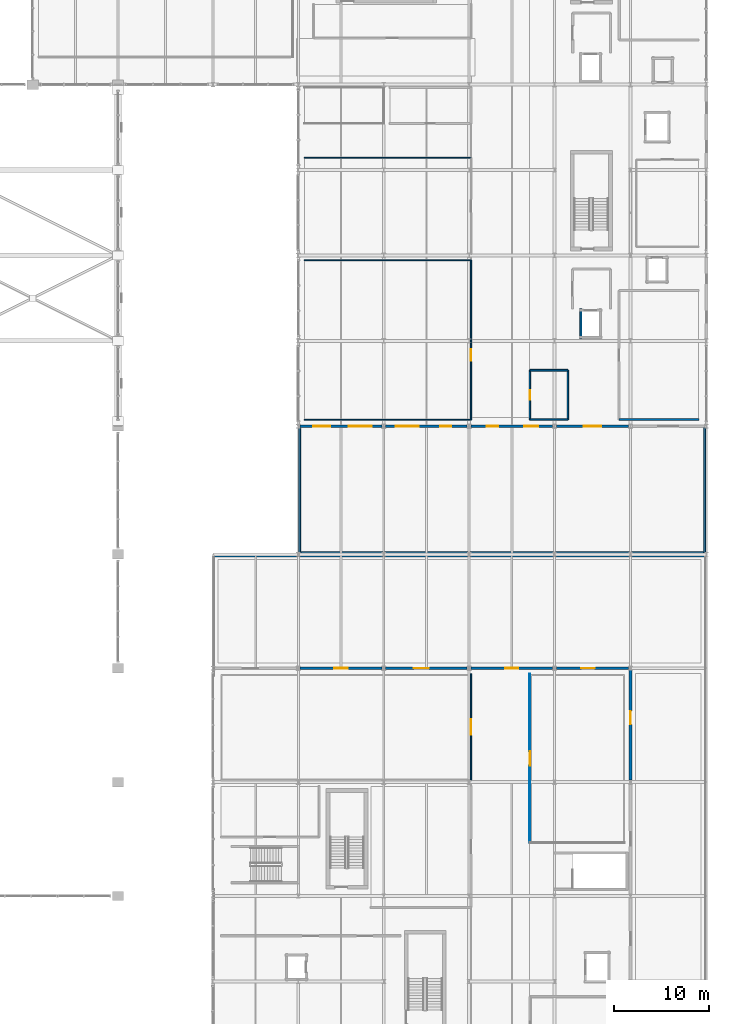
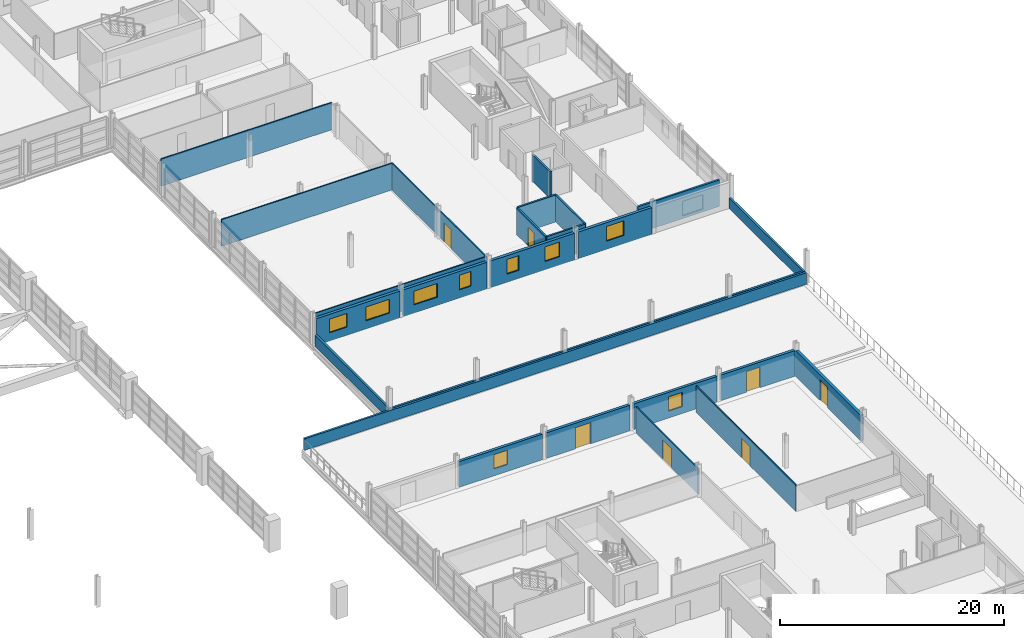
# One storey, part 100 of 116: 25 walls, 9 windows, 7 doors, 16 openings.
"""IFC4 building model written with IfcOpenShell, lengths in metres."""

import ifcopenshell
import ifcopenshell.guid

model = None  # the IFC model being written
_history = None  # IfcOwnerHistory: only IFC2X3 demands one
_inside = {}  # id of a spatial element -> (the spatial element, [elements in it])
_under = {}  # id of a project, library or spatial element -> (it, [spatial elements below it])
_declared = {}  # id of a project -> (the project, [libraries it declares])
_typed = {}  # id of a type object -> (the type object, [elements of that type])
_made_of = {}  # id of a material, layer set ... -> (it, [elements and type objects made of it])


def new_model(schema):
    """Start an empty IFC model of exactly this schema.

    Asked for "IFC4X3", IfcOpenShell would pick the latest addendum, in which some entities
    have other attributes; the version numbers below select the first issue.
    IFC2X3 requires an IfcOwnerHistory on every rooted entity: one is made here for all.
    """
    global model, _history
    if schema == "IFC4X3":
        model = ifcopenshell.file(schema_version=(4, 3, 0, 0))
    else:
        model = ifcopenshell.file(schema=schema)
    _inside.clear()
    _under.clear()
    _declared.clear()
    _typed.clear()
    _made_of.clear()
    _history = None
    if model.schema == "IFC2X3":
        org = make("IfcOrganization", Name="unknown")
        user = make(
            "IfcPersonAndOrganization",
            ThePerson=make("IfcPerson", FamilyName="unknown"),
            TheOrganization=org,
        )
        app = make(
            "IfcApplication",
            ApplicationDeveloper=org,
            Version="unknown",
            ApplicationFullName="unknown",
            ApplicationIdentifier="unknown",
        )
        _history = make(
            "IfcOwnerHistory",
            OwningUser=user,
            OwningApplication=app,
            ChangeAction="ADDED",
            CreationDate=0,
        )
    return model


def make(cls, **values):
    """One entity of the class cls with the attributes given. An attribute that is None is left unset."""
    return model.create_entity(
        cls, **{name: value for name, value in values.items() if value is not None}
    )


def rooted(cls, **values):
    """An entity with a GlobalId (a new one), such as an element, a storey or a relation."""
    return make(cls, GlobalId=ifcopenshell.guid.new(), OwnerHistory=_history, **values)


def si_unit(unit_type, name, prefix=None):
    """IfcSIUnit, for example si_unit("LENGTHUNIT", "METRE", prefix="MILLI")."""
    return make("IfcSIUnit", UnitType=unit_type, Prefix=prefix, Name=name)


def assignment(units):
    """IfcUnitAssignment: the units of a project."""
    return None if units is None else make("IfcUnitAssignment", Units=units)


def point(xyz):
    """IfcCartesianPoint."""
    return None if xyz is None else make("IfcCartesianPoint", Coordinates=xyz)


def direction(xyz):
    """IfcDirection."""
    return None if xyz is None else make("IfcDirection", DirectionRatios=xyz)


def frame(location, z_axis=None, x_axis=None):
    """IfcAxis2Placement3D, a coordinate frame: its origin and axes. An axis left out is left unset."""
    return make(
        "IfcAxis2Placement3D",
        Location=point(location),
        Axis=direction(z_axis),
        RefDirection=direction(x_axis),
    )


def frame_2d(location, x_axis=None):
    """IfcAxis2Placement2D, a coordinate frame in the plane: its origin and x axis."""
    return make(
        "IfcAxis2Placement2D", Location=point(location), RefDirection=direction(x_axis)
    )


def origin():
    """The frame at (0, 0, 0) with its axes left unset."""
    return frame((0.0, 0.0, 0.0))


def place(relative_to, where):
    """IfcLocalPlacement: puts the frame where relative to a parent placement (None: the world)."""
    return make(
        "IfcLocalPlacement", PlacementRelTo=relative_to, RelativePlacement=where
    )


def context(
    kind, dimensions, precision=None, world=None, true_north=None, identifier=None
):
    """IfcGeometricRepresentationContext, for example the 3D "Model" context."""
    return make(
        "IfcGeometricRepresentationContext",
        ContextIdentifier=identifier,
        ContextType=kind,
        CoordinateSpaceDimension=dimensions,
        Precision=precision,
        WorldCoordinateSystem=world,
        TrueNorth=true_north,
    )


def subcontext(parent, identifier, kind, view, scale=None):
    """IfcGeometricRepresentationSubContext, for example "Body" below "Model"."""
    return make(
        "IfcGeometricRepresentationSubContext",
        ContextIdentifier=identifier,
        ContextType=kind,
        ParentContext=parent,
        TargetScale=scale,
        TargetView=view,
    )


def project(units=None, contexts=None):
    """IfcProject with its units and contexts."""
    return rooted(
        "IfcProject",
        Name="project",
        RepresentationContexts=contexts,
        UnitsInContext=assignment(units),
    )


def spatial(cls, under=None, at=None, **own):
    """A site, building, storey or space (cls), placed at a placement, below another one or the project."""
    s = rooted(cls, ObjectPlacement=at, **own)
    if under is not None:
        _under.setdefault(under.id(), (under, []))[1].append(s)
    return s


def profile(cls, at=None, kind="AREA", **sizes):
    """A parametric profile (cls). Its sizes go by their IFC names, for example OverallWidth=200.0."""
    return make(cls, ProfileType=kind, Position=at, **sizes)


def rectangle(**sizes):
    """IfcRectangleProfileDef."""
    return profile("IfcRectangleProfileDef", **sizes)


def extrude(swept, where, along, depth):
    """IfcExtrudedAreaSolid: the profile swept, set in the frame where, extruded along a direction by depth."""
    return make(
        "IfcExtrudedAreaSolid",
        SweptArea=swept,
        Position=where,
        ExtrudedDirection=direction(along),
        Depth=depth,
    )


def shape(context_of_items, identifier, shape_type, items):
    """IfcShapeRepresentation: the items that make up one representation, for example the "Body"."""
    return make(
        "IfcShapeRepresentation",
        ContextOfItems=context_of_items,
        RepresentationIdentifier=identifier,
        RepresentationType=shape_type,
        Items=items,
    )


def material(Name=None, Category=None):
    """IfcMaterial."""
    return make("IfcMaterial", Name=Name, Category=Category)


def layer(
    of_material, thickness, ventilated=None, Name=None, Category=None, Priority=None
):
    """IfcMaterialLayer: one layer of a wall or slab, of a material (None: an air gap)."""
    return make(
        "IfcMaterialLayer",
        Material=of_material,
        LayerThickness=thickness,
        IsVentilated=ventilated,
        Name=Name,
        Category=Category,
        Priority=Priority,
    )


def layer_set(layers, Name=None):
    """IfcMaterialLayerSet."""
    return make("IfcMaterialLayerSet", MaterialLayers=layers, LayerSetName=Name)


def made_of(thing, what):
    """Note that an element or type object is made of a material, layer set ...; save() writes the relation."""
    if what is not None:
        _made_of.setdefault(what.id(), (what, []))[1].append(thing)
    return thing


def type_object(cls, material=None, **own):
    """A type object (cls), such as IfcWallType, which elements share."""
    return made_of(rooted(cls, **own), material)


def element(
    cls,
    number,
    at=None,
    inside=None,
    cuts=None,
    type_object=None,
    material=None,
    context=None,
    identifier="Body",
    shape_type=None,
    held_by="IfcProductDefinitionShape",
    body=None,
    shapes=None,
    **own,
):
    """One element of the class cls, such as IfcWall. Its Tag is "e" and its number.

    at: its placement. inside: the storey or other place that contains it. cuts: it is an
    opening in that element (IfcRelVoidsElement). A single representation is given by context,
    identifier, shape_type and body (its items); several are given by shapes. held_by: the class
    of the entity that holds the representations. save() writes the other relations.
    """
    e = rooted(cls, Tag="e%d" % number, ObjectPlacement=at, **own)
    if body is not None:
        shapes = [shape(context, identifier, shape_type, body)]
    if shapes is not None:
        e.Representation = make(held_by, Representations=shapes)
    if inside is not None:
        _inside.setdefault(inside.id(), (inside, []))[1].append(e)
    if cuts is not None:
        rooted(
            "IfcRelVoidsElement", RelatingBuildingElement=cuts, RelatedOpeningElement=e
        )
    if type_object is not None:
        _typed.setdefault(type_object.id(), (type_object, []))[1].append(e)
    return made_of(e, material)


def fill(opening, filler):
    """IfcRelFillsElement: the door or window that sits in an opening."""
    return rooted(
        "IfcRelFillsElement",
        RelatingOpeningElement=opening,
        RelatedBuildingElement=filler,
    )


def aggregate(whole, parts):
    """IfcRelAggregates: a whole, such as a stair, and the parts it consists of."""
    return rooted("IfcRelAggregates", RelatingObject=whole, RelatedObjects=parts)


def save(model, path):
    """Write the relations noted so far, then the file.

    IfcRelAggregates (storeys below a building ...), IfcRelContainedInSpatialStructure (elements
    in a storey), IfcRelDefinesByType, IfcRelAssociatesMaterial and IfcRelDeclares: one each for
    every whole, place, type object, material and project.
    """
    for whole, parts in _under.values():
        aggregate(whole, parts)
    for where, things in _inside.values():
        rooted(
            "IfcRelContainedInSpatialStructure",
            RelatedElements=things,
            RelatingStructure=where,
        )
    for kind, things in _typed.values():
        rooted("IfcRelDefinesByType", RelatedObjects=things, RelatingType=kind)
    for what, things in _made_of.values():
        rooted("IfcRelAssociatesMaterial", RelatedObjects=things, RelatingMaterial=what)
    for by, libraries in _declared.values():
        rooted("IfcRelDeclares", RelatingContext=by, RelatedDefinitions=libraries)
    model.write(path)


model = new_model("IFC4")

# Units and contexts
model_context = context("Model", 3, precision=1e-05, world=origin(), true_north=direction((0.0, 1.0)))
body_context = subcontext(model_context, "Body", "Model", "MODEL_VIEW")
ifc_project = project(units=[si_unit("LENGTHUNIT", "METRE"), si_unit("AREAUNIT", "SQUARE_METRE"), si_unit("VOLUMEUNIT", "CUBIC_METRE"), si_unit("PLANEANGLEUNIT", "RADIAN"), si_unit("MASSUNIT", "GRAM", prefix="KILO")], contexts=[model_context])

# Site, building, storey
site_placement = place(None, origin())
site = spatial("IfcSite", under=ifc_project, at=site_placement, CompositionType="ELEMENT")
building_placement = place(site_placement, origin())
building = spatial("IfcBuilding", under=site, at=building_placement, Name="Chuanluo Vaults Station", CompositionType="ELEMENT")
storey_placement = place(building_placement, frame((0.0, 0.0, 10.800048828125)))
storey = spatial("IfcBuildingStorey", under=building, at=storey_placement, Name="L02", CompositionType="ELEMENT", Elevation=10.800048828125)

# Wall, opening, window
ifc_material_1 = material(Name="Concrete C40", Category="concrete")
ifc_layer_1 = layer(ifc_material_1, 0.280029296875)
ifc_layer_set_1 = layer_set([ifc_layer_1], Name="Concrete C40")
wall_type_1 = type_object("IfcWallType", Name="WL-EXT-280", PredefinedType="SOLIDWALL", material=ifc_layer_set_1)
wall_1_placement = place(storey_placement, frame((145.199951171875, 42.0, 0.0), z_axis=(0.0, 0.0, 1.0), x_axis=(1.0, 0.0, 0.0)))
wall_1 = element("IfcWall", 1, at=wall_1_placement, inside=storey, type_object=wall_type_1, Name="L02 restaurant north terrace wall 2", PredefinedType="SOLIDWALL", context=body_context, shape_type="SweptSolid", body=[
    extrude(rectangle(XDim=8.60009765625, YDim=0.280029296875, at=frame_2d((4.300048828125, 0.0))), origin(), (0.0, 0.0, 1.0), 2.794921875),
])
opening_1_placement = place(wall_1_placement, frame((3.60009765625, 0.0, 0.75)))
opening_1 = element("IfcOpeningElement", 2, at=opening_1_placement, cuts=wall_1, Name="Opening W-41", PredefinedType="OPENING", context=body_context, shape_type="SweptSolid", body=[
    extrude(rectangle(XDim=1.39990234375, YDim=1.550048828125, at=frame_2d((0.699951171875, 0.77490234375))), frame((0.0, 0.15014, 0.0), z_axis=(0.0, -1.0, 0.0), x_axis=(1.0, 0.0, 0.0)), (0.0, 0.0, 1.0), 0.30003),
])
ifc_material_2 = material(Name="Double-silver Low-E laminated glass", Category="glass")
window_type_1 = type_object("IfcWindowType", Name="WN-OPS-1400x1550", PartitioningType="SINGLE_PANEL", PredefinedType="WINDOW", material=ifc_material_2)
window_1_placement = place(opening_1_placement, origin())
window_1 = element("IfcWindow", 3, at=window_1_placement, inside=storey, type_object=window_type_1, Name="W-114 L02 restaurant north terrace wall 2 window", OverallHeight=1.550048828125, OverallWidth=1.39990234375, PartitioningType="SINGLE_PANEL", PredefinedType="WINDOW", context=body_context, shape_type="SweptSolid", body=[
    extrude(rectangle(XDim=1.39990234375, YDim=1.550048828125, at=frame_2d((0.699951171875, 0.77490234375))), frame((0.0, 0.030029296875, 0.0), z_axis=(0.0, -1.0, 0.0), x_axis=(1.0, 0.0, 0.0)), (0.0, 0.0, 1.0), 0.06005859375),
])
fill(opening_1, window_1)

# Wall, opening, door
wall_2_placement = place(storey_placement, frame((154.199951171875, 42.0, 0.0), z_axis=(0.0, 0.0, 1.0), x_axis=(1.0, 0.0, 0.0)))
wall_2 = element("IfcWall", 4, at=wall_2_placement, inside=storey, type_object=wall_type_1, Name="L02 restaurant north terrace wall 3", PredefinedType="SOLIDWALL", context=body_context, shape_type="SweptSolid", body=[
    extrude(rectangle(XDim=8.60009765625, YDim=0.280029296875, at=frame_2d((4.300048828125, 0.0))), origin(), (0.0, 0.0, 1.0), 2.794921875),
])
opening_2_placement = place(wall_2_placement, frame((2.96875, 0.0, 0.0)))
opening_2 = element("IfcOpeningElement", 5, at=opening_2_placement, cuts=wall_2, Name="Opening D-T01", PredefinedType="OPENING", context=body_context, shape_type="SweptSolid", body=[
    extrude(rectangle(XDim=1.60009765625, YDim=2.300048828125, at=frame_2d((0.800048828125, 1.14990234375))), frame((0.0, 0.15014, 0.0), z_axis=(0.0, -1.0, 0.0), x_axis=(1.0, 0.0, 0.0)), (0.0, 0.0, 1.0), 0.30003),
])
ifc_material_3 = material(Name="Anodised aluminium 6063-T6", Category="aluminium")
door_type_1 = type_object("IfcDoorType", Name="DR-TER-1600x2300", OperationType="NOTDEFINED", PredefinedType="DOOR", material=ifc_material_3)
door_1_placement = place(opening_2_placement, origin())
door_1 = element("IfcDoor", 6, at=door_1_placement, inside=storey, type_object=door_type_1, Name="D-048 L02 restaurant north terrace wall 3 terrace door", OperationType="SINGLE_SWING_LEFT", OverallHeight=2.300048828125, OverallWidth=1.60009765625, PredefinedType="DOOR", context=body_context, shape_type="SweptSolid", body=[
    extrude(rectangle(XDim=1.60009765625, YDim=2.300048828125, at=frame_2d((0.800048828125, 1.14990234375))), frame((0.0, 0.02490234375, 0.0), z_axis=(0.0, -1.0, 0.0), x_axis=(1.0, 0.0, 0.0)), (0.0, 0.0, 1.0), 0.050048828125),
])
fill(opening_2, door_1)

# Wall, opening, window
wall_3_placement = place(storey_placement, frame((163.199951171875, 42.0, 0.0), z_axis=(0.0, 0.0, 1.0), x_axis=(1.0, 0.0, 0.0)))
wall_3 = element("IfcWall", 7, at=wall_3_placement, inside=storey, type_object=wall_type_1, Name="L02 bistro north terrace wall 1", PredefinedType="SOLIDWALL", context=body_context, shape_type="SweptSolid", body=[
    extrude(rectangle(XDim=8.60009765625, YDim=0.280029296875, at=frame_2d((4.300048828125, 0.0))), origin(), (0.0, 0.0, 1.0), 2.794921875),
])
opening_3_placement = place(wall_3_placement, frame((3.60009765625, 0.0, 0.75)))
opening_3 = element("IfcOpeningElement", 8, at=opening_3_placement, cuts=wall_3, Name="Opening W-41", PredefinedType="OPENING", context=body_context, shape_type="SweptSolid", body=[
    extrude(rectangle(XDim=1.39990234375, YDim=1.550048828125, at=frame_2d((0.699951171875, 0.77490234375))), frame((0.0, 0.15014, 0.0), z_axis=(0.0, -1.0, 0.0), x_axis=(1.0, 0.0, 0.0)), (0.0, 0.0, 1.0), 0.30003),
])
window_2_placement = place(opening_3_placement, origin())
window_2 = element("IfcWindow", 9, at=window_2_placement, inside=storey, type_object=window_type_1, Name="W-115 L02 bistro north terrace wall 1 window", OverallHeight=1.550048828125, OverallWidth=1.39990234375, PartitioningType="SINGLE_PANEL", PredefinedType="WINDOW", context=body_context, shape_type="SweptSolid", body=[
    extrude(rectangle(XDim=1.39990234375, YDim=1.550048828125, at=frame_2d((0.699951171875, 0.77490234375))), frame((0.0, 0.030029296875, 0.0), z_axis=(0.0, -1.0, 0.0), x_axis=(1.0, 0.0, 0.0)), (0.0, 0.0, 1.0), 0.06005859375),
])
fill(opening_3, window_2)

# Wall, opening, door
wall_4_placement = place(storey_placement, frame((172.199951171875, 42.0, 0.0), z_axis=(0.0, 0.0, 1.0), x_axis=(1.0, 0.0, 0.0)))
wall_4 = element("IfcWall", 10, at=wall_4_placement, inside=storey, type_object=wall_type_1, Name="L02 bistro north terrace wall 2", PredefinedType="SOLIDWALL", context=body_context, shape_type="SweptSolid", body=[
    extrude(rectangle(XDim=7.60009765625, YDim=0.280029296875, at=frame_2d((3.800048828125, 0.0))), origin(), (0.0, 0.0, 1.0), 2.794921875),
])
opening_4_placement = place(wall_4_placement, frame((2.6328125, 0.0, 0.0)))
opening_4 = element("IfcOpeningElement", 11, at=opening_4_placement, cuts=wall_4, Name="Opening D-T02", PredefinedType="OPENING", context=body_context, shape_type="SweptSolid", body=[
    extrude(rectangle(XDim=1.39990234375, YDim=2.25, at=frame_2d((0.699951171875, 1.125))), frame((0.0, 0.15014, 0.0), z_axis=(0.0, -1.0, 0.0), x_axis=(1.0, 0.0, 0.0)), (0.0, 0.0, 1.0), 0.30003),
])
ifc_material_4 = material(Name="Anodised aluminium 6063-T6", Category="aluminium")
door_type_2 = type_object("IfcDoorType", Name="DR-TER-1400x2250", OperationType="NOTDEFINED", PredefinedType="DOOR", material=ifc_material_4)
door_2_placement = place(opening_4_placement, origin())
door_2 = element("IfcDoor", 12, at=door_2_placement, inside=storey, type_object=door_type_2, Name="D-049 L02 bistro north terrace wall 2 terrace door", OperationType="SINGLE_SWING_RIGHT", OverallHeight=2.25, OverallWidth=1.39990234375, PredefinedType="DOOR", context=body_context, shape_type="SweptSolid", body=[
    extrude(rectangle(XDim=1.39990234375, YDim=2.25, at=frame_2d((0.699951171875, 1.125))), frame((0.0, 0.02490234375, 0.0), z_axis=(0.0, -1.0, 0.0), x_axis=(1.0, 0.0, 0.0)), (0.0, 0.0, 1.0), 0.050048828125),
])
fill(opening_4, door_2)

wall_5_placement = place(storey_placement, frame((180.0, 41.800048828125, 0.0), z_axis=(0.0, 0.0, 1.0), x_axis=(0.0, -1.0, 0.0)))
wall_5 = element("IfcWall", 13, at=wall_5_placement, inside=storey, type_object=wall_type_1, Name="L02 east garden terrace wall 1", PredefinedType="SOLIDWALL", context=body_context, shape_type="SweptSolid", body=[
    extrude(rectangle(XDim=11.60009765625, YDim=0.280029296875, at=frame_2d((5.800048828125, 0.0))), origin(), (0.0, 0.0, 1.0), 2.794921875),
])
opening_5_placement = place(wall_5_placement, frame((4.312744140625, 0.0, 0.0)))
opening_5 = element("IfcOpeningElement", 14, at=opening_5_placement, cuts=wall_5, Name="Opening D-T02", PredefinedType="OPENING", context=body_context, shape_type="SweptSolid", body=[
    extrude(rectangle(XDim=1.39990234375, YDim=2.25, at=frame_2d((0.699951171875, 1.125))), frame((0.0, 0.15014, 0.0), z_axis=(0.0, -1.0, 0.0), x_axis=(1.0, 0.0, 0.0)), (0.0, 0.0, 1.0), 0.30003),
])
door_3_placement = place(opening_5_placement, origin())
door_3 = element("IfcDoor", 15, at=door_3_placement, inside=storey, type_object=door_type_2, Name="D-050 L02 east garden terrace wall 1 terrace door", OperationType="SINGLE_SWING_LEFT", OverallHeight=2.25, OverallWidth=1.39990234375, PredefinedType="DOOR", context=body_context, shape_type="SweptSolid", body=[
    extrude(rectangle(XDim=1.39990234375, YDim=2.25, at=frame_2d((0.699951171875, 1.125))), frame((0.0, 0.02490234375, 0.0), z_axis=(0.0, -1.0, 0.0), x_axis=(1.0, 0.0, 0.0)), (0.0, 0.0, 1.0), 0.050048828125),
])
fill(opening_5, door_3)

# Wall, opening, window
ifc_material_5 = material(Name="Concrete C40", Category="concrete")
ifc_layer_2 = layer(ifc_material_5, 0.300048828125)
ifc_layer_set_2 = layer_set([ifc_layer_2], Name="Concrete C40")
wall_type_2 = type_object("IfcWallType", Name="WL-EXT-300", PredefinedType="SOLIDWALL", material=ifc_layer_set_2)
wall_6_placement = place(storey_placement, frame((179.800048828125, 67.5, 0.0), z_axis=(0.0, 0.0, 1.0), x_axis=(-1.0, 0.0, 0.0)))
wall_6 = element("IfcWall", 16, at=wall_6_placement, inside=storey, type_object=wall_type_2, Name="L02 exterior punched wall 07", PredefinedType="SOLIDWALL", context=body_context, shape_type="SweptSolid", body=[
    extrude(rectangle(XDim=7.60009765625, YDim=0.300048828125, at=frame_2d((3.800048828125, 0.0))), origin(), (0.0, 0.0, 1.0), 2.9150390625),
])
opening_6_placement = place(wall_6_placement, frame((2.89990234375, 0.0, 0.89990234375)))
opening_6 = element("IfcOpeningElement", 17, at=opening_6_placement, cuts=wall_6, Name="Opening W-08", PredefinedType="OPENING", context=body_context, shape_type="SweptSolid", body=[
    extrude(rectangle(XDim=1.800048828125, YDim=1.60009765625, at=frame_2d((0.89990234375, 0.800048828125))), frame((0.0, 0.1599, 0.0), z_axis=(0.0, -1.0, 0.0), x_axis=(1.0, 0.0, 0.0)), (0.0, 0.0, 1.0), 0.32005),
])
ifc_material_6 = material(Name="Double-silver Low-E laminated glass", Category="glass")
window_type_2 = type_object("IfcWindowType", Name="WN-OPS-1800x1600", PartitioningType="SINGLE_PANEL", PredefinedType="WINDOW", material=ifc_material_6)
window_3_placement = place(opening_6_placement, origin())
window_3 = element("IfcWindow", 18, at=window_3_placement, inside=storey, type_object=window_type_2, Name="W-073 L02 facade window", OverallHeight=1.60009765625, OverallWidth=1.800048828125, PartitioningType="SINGLE_PANEL", PredefinedType="WINDOW", context=body_context, shape_type="SweptSolid", body=[
    extrude(rectangle(XDim=1.800048828125, YDim=1.60009765625, at=frame_2d((0.89990234375, 0.800048828125))), frame((0.0, 0.030029296875, 0.0), z_axis=(0.0, -1.0, 0.0), x_axis=(1.0, 0.0, 0.0)), (0.0, 0.0, 1.0), 0.06005859375),
])
fill(opening_6, window_3)

# Wall, openings, windows
wall_7_placement = place(storey_placement, frame((171.800048828125, 67.5, 0.0), z_axis=(0.0, 0.0, 1.0), x_axis=(-1.0, 0.0, 0.0)))
wall_7 = element("IfcWall", 19, at=wall_7_placement, inside=storey, type_object=wall_type_2, Name="L02 exterior punched wall 08", PredefinedType="SOLIDWALL", context=body_context, shape_type="SweptSolid", body=[
    extrude(rectangle(XDim=8.60009765625, YDim=0.300048828125, at=frame_2d((4.300048828125, 0.0))), origin(), (0.0, 0.0, 1.0), 2.9150390625),
])
opening_7_placement = place(wall_7_placement, frame((1.514892578125, 0.0, 0.89990234375)))
opening_7 = element("IfcOpeningElement", 20, at=opening_7_placement, cuts=wall_7, Name="Opening W-09", PredefinedType="OPENING", context=body_context, shape_type="SweptSolid", body=[
    extrude(rectangle(XDim=1.5, YDim=1.60009765625, at=frame_2d((0.75, 0.800048828125))), frame((0.0, 0.1599, 0.0), z_axis=(0.0, -1.0, 0.0), x_axis=(1.0, 0.0, 0.0)), (0.0, 0.0, 1.0), 0.32005),
])
opening_8_placement = place(wall_7_placement, frame((5.735107421875, 0.0, 0.89990234375)))
opening_8 = element("IfcOpeningElement", 21, at=opening_8_placement, cuts=wall_7, Name="Opening W-10", PredefinedType="OPENING", context=body_context, shape_type="SweptSolid", body=[
    extrude(rectangle(XDim=1.199951171875, YDim=1.60009765625, at=frame_2d((0.60009765625, 0.800048828125))), frame((0.0, 0.1599, 0.0), z_axis=(0.0, -1.0, 0.0), x_axis=(1.0, 0.0, 0.0)), (0.0, 0.0, 1.0), 0.32005),
])
ifc_material_7 = material(Name="Double-silver Low-E laminated glass", Category="glass")
window_type_3 = type_object("IfcWindowType", Name="WN-OPS-1200x1600", PartitioningType="SINGLE_PANEL", PredefinedType="WINDOW", material=ifc_material_7)
window_4_placement = place(opening_8_placement, origin())
window_4 = element("IfcWindow", 22, at=window_4_placement, inside=storey, type_object=window_type_3, Name="W-075 L02 facade window", OverallHeight=1.60009765625, OverallWidth=1.199951171875, PartitioningType="SINGLE_PANEL", PredefinedType="WINDOW", context=body_context, shape_type="SweptSolid", body=[
    extrude(rectangle(XDim=1.199951171875, YDim=1.60009765625, at=frame_2d((0.60009765625, 0.800048828125))), frame((0.0, 0.030029296875, 0.0), z_axis=(0.0, -1.0, 0.0), x_axis=(1.0, 0.0, 0.0)), (0.0, 0.0, 1.0), 0.06005859375),
])
fill(opening_8, window_4)
ifc_material_8 = material(Name="Double-silver Low-E laminated glass", Category="glass")
window_type_4 = type_object("IfcWindowType", Name="WN-OPS-1500x1600", PartitioningType="SINGLE_PANEL", PredefinedType="WINDOW", material=ifc_material_8)
window_5_placement = place(opening_7_placement, origin())
window_5 = element("IfcWindow", 23, at=window_5_placement, inside=storey, type_object=window_type_4, Name="W-074 L02 facade window", OverallHeight=1.60009765625, OverallWidth=1.5, PartitioningType="SINGLE_PANEL", PredefinedType="WINDOW", context=body_context, shape_type="SweptSolid", body=[
    extrude(rectangle(XDim=1.5, YDim=1.60009765625, at=frame_2d((0.75, 0.800048828125))), frame((0.0, 0.030029296875, 0.0), z_axis=(0.0, -1.0, 0.0), x_axis=(1.0, 0.0, 0.0)), (0.0, 0.0, 1.0), 0.06005859375),
])
fill(opening_7, window_5)

wall_8_placement = place(storey_placement, frame((162.800048828125, 67.5, 0.0), z_axis=(0.0, 0.0, 1.0), x_axis=(-1.0, 0.0, 0.0)))
wall_8 = element("IfcWall", 24, at=wall_8_placement, inside=storey, type_object=wall_type_2, Name="L02 exterior punched wall 09", PredefinedType="SOLIDWALL", context=body_context, shape_type="SweptSolid", body=[
    extrude(rectangle(XDim=8.60009765625, YDim=0.300048828125, at=frame_2d((4.300048828125, 0.0))), origin(), (0.0, 0.0, 1.0), 2.9150390625),
])
opening_9_placement = place(wall_8_placement, frame((1.6650390625, 0.0, 0.89990234375)))
opening_9 = element("IfcOpeningElement", 25, at=opening_9_placement, cuts=wall_8, Name="Opening W-10", PredefinedType="OPENING", context=body_context, shape_type="SweptSolid", body=[
    extrude(rectangle(XDim=1.199951171875, YDim=1.60009765625, at=frame_2d((0.60009765625, 0.800048828125))), frame((0.0, 0.1599, 0.0), z_axis=(0.0, -1.0, 0.0), x_axis=(1.0, 0.0, 0.0)), (0.0, 0.0, 1.0), 0.32005),
])
opening_10_placement = place(wall_8_placement, frame((5.135009765625, 0.0, 0.89990234375)))
opening_10 = element("IfcOpeningElement", 26, at=opening_10_placement, cuts=wall_8, Name="Opening W-11", PredefinedType="OPENING", context=body_context, shape_type="SweptSolid", body=[
    extrude(rectangle(XDim=2.39990234375, YDim=1.5, at=frame_2d((1.199951171875, 0.75))), frame((0.0, 0.1599, 0.0), z_axis=(0.0, -1.0, 0.0), x_axis=(1.0, 0.0, 0.0)), (0.0, 0.0, 1.0), 0.32005),
])
window_6_placement = place(opening_9_placement, origin())
window_6 = element("IfcWindow", 27, at=window_6_placement, inside=storey, type_object=window_type_3, Name="W-076 L02 facade window", OverallHeight=1.60009765625, OverallWidth=1.199951171875, PartitioningType="SINGLE_PANEL", PredefinedType="WINDOW", context=body_context, shape_type="SweptSolid", body=[
    extrude(rectangle(XDim=1.199951171875, YDim=1.60009765625, at=frame_2d((0.60009765625, 0.800048828125))), frame((0.0, 0.030029296875, 0.0), z_axis=(0.0, -1.0, 0.0), x_axis=(1.0, 0.0, 0.0)), (0.0, 0.0, 1.0), 0.06005859375),
])
fill(opening_9, window_6)
ifc_material_9 = material(Name="Double-silver Low-E laminated glass", Category="glass")
window_type_5 = type_object("IfcWindowType", Name="WN-OPS-2400x1500", PartitioningType="SINGLE_PANEL", PredefinedType="WINDOW", material=ifc_material_9)
window_7_placement = place(opening_10_placement, origin())
window_7 = element("IfcWindow", 28, at=window_7_placement, inside=storey, type_object=window_type_5, Name="W-077 L02 facade window", OverallHeight=1.5, OverallWidth=2.39990234375, PartitioningType="SINGLE_PANEL", PredefinedType="WINDOW", context=body_context, shape_type="SweptSolid", body=[
    extrude(rectangle(XDim=2.39990234375, YDim=1.5, at=frame_2d((1.199951171875, 0.75))), frame((0.0, 0.030029296875, 0.0), z_axis=(0.0, -1.0, 0.0), x_axis=(1.0, 0.0, 0.0)), (0.0, 0.0, 1.0), 0.06005859375),
])
fill(opening_10, window_7)

wall_9_placement = place(storey_placement, frame((153.800048828125, 67.5, 0.0), z_axis=(0.0, 0.0, 1.0), x_axis=(-1.0, 0.0, 0.0)))
wall_9 = element("IfcWall", 29, at=wall_9_placement, inside=storey, type_object=wall_type_2, Name="L02 exterior punched wall 10", PredefinedType="SOLIDWALL", context=body_context, shape_type="SweptSolid", body=[
    extrude(rectangle(XDim=8.60009765625, YDim=0.300048828125, at=frame_2d((4.300048828125, 0.0))), origin(), (0.0, 0.0, 1.0), 2.9150390625),
])
opening_11_placement = place(wall_9_placement, frame((1.06494140625, 0.0, 0.89990234375)))
opening_11 = element("IfcOpeningElement", 30, at=opening_11_placement, cuts=wall_9, Name="Opening W-11", PredefinedType="OPENING", context=body_context, shape_type="SweptSolid", body=[
    extrude(rectangle(XDim=2.39990234375, YDim=1.5, at=frame_2d((1.199951171875, 0.75))), frame((0.0, 0.1599, 0.0), z_axis=(0.0, -1.0, 0.0), x_axis=(1.0, 0.0, 0.0)), (0.0, 0.0, 1.0), 0.32005),
])
opening_12_placement = place(wall_9_placement, frame((5.43505859375, 0.0, 0.89990234375)))
opening_12 = element("IfcOpeningElement", 31, at=opening_12_placement, cuts=wall_9, Name="Opening W-12", PredefinedType="OPENING", context=body_context, shape_type="SweptSolid", body=[
    extrude(rectangle(XDim=1.800048828125, YDim=1.5, at=frame_2d((0.89990234375, 0.75))), frame((0.0, 0.1599, 0.0), z_axis=(0.0, -1.0, 0.0), x_axis=(1.0, 0.0, 0.0)), (0.0, 0.0, 1.0), 0.32005),
])
ifc_material_10 = material(Name="Double-silver Low-E laminated glass", Category="glass")
window_type_6 = type_object("IfcWindowType", Name="WN-OPS-1800x1500", PartitioningType="SINGLE_PANEL", PredefinedType="WINDOW", material=ifc_material_10)
window_8_placement = place(opening_12_placement, origin())
window_8 = element("IfcWindow", 32, at=window_8_placement, inside=storey, type_object=window_type_6, Name="W-079 L02 facade window", OverallHeight=1.5, OverallWidth=1.800048828125, PartitioningType="SINGLE_PANEL", PredefinedType="WINDOW", context=body_context, shape_type="SweptSolid", body=[
    extrude(rectangle(XDim=1.800048828125, YDim=1.5, at=frame_2d((0.89990234375, 0.75))), frame((0.0, 0.030029296875, 0.0), z_axis=(0.0, -1.0, 0.0), x_axis=(1.0, 0.0, 0.0)), (0.0, 0.0, 1.0), 0.06005859375),
])
fill(opening_12, window_8)
window_9_placement = place(opening_11_placement, origin())
window_9 = element("IfcWindow", 33, at=window_9_placement, inside=storey, type_object=window_type_5, Name="W-078 L02 facade window", OverallHeight=1.5, OverallWidth=2.39990234375, PartitioningType="SINGLE_PANEL", PredefinedType="WINDOW", context=body_context, shape_type="SweptSolid", body=[
    extrude(rectangle(XDim=2.39990234375, YDim=1.5, at=frame_2d((1.199951171875, 0.75))), frame((0.0, 0.030029296875, 0.0), z_axis=(0.0, -1.0, 0.0), x_axis=(1.0, 0.0, 0.0)), (0.0, 0.0, 1.0), 0.06005859375),
])
fill(opening_11, window_9)

# Walls
ifc_material_11 = material(Name="Concrete C40", Category="concrete")
ifc_layer_3 = layer(ifc_material_11, 0.2099609375)
ifc_layer_set_3 = layer_set([ifc_layer_3], Name="Concrete C40")
wall_type_3 = type_object("IfcWallType", Name="WL-PAR-210", PredefinedType="PARAPET", material=ifc_layer_set_3)
wall_10_placement = place(storey_placement, frame((136.14990234375, 53.85009765625, 0.0), z_axis=(0.0, 0.0, 1.0), x_axis=(1.0, 0.0, 0.0)))
element("IfcWall", 34, at=wall_10_placement, inside=storey, type_object=wall_type_3, Name="L02 north terrace parapet wall", PredefinedType="PARAPET", context=body_context, shape_type="SweptSolid", body=[
    extrude(rectangle(XDim=51.7001953125, YDim=0.2099609375, at=frame_2d((25.85009765625, 0.0))), origin(), (0.0, 0.0, 1.0), 1.25),
])
wall_11_placement = place(storey_placement, frame((145.14990234375, 54.14990234375, 0.0), z_axis=(0.0, 0.0, 1.0), x_axis=(1.0, 0.0, 0.0)))
element("IfcWall", 35, at=wall_11_placement, inside=storey, type_object=wall_type_3, Name="L02 roof parapet wall 06", PredefinedType="PARAPET", context=body_context, shape_type="SweptSolid", body=[
    extrude(rectangle(XDim=42.7001953125, YDim=0.2099609375, at=frame_2d((21.35009765625, 0.0))), origin(), (0.0, 0.0, 1.0), 1.199951171875),
])
for number, where, z_axis, x_axis, name in (
    (36, (145.14990234375, 54.14990234375, 0.0), (0.0, 0.0, 1.0), (0.0, 1.0, 0.0), "L02 roof parapet wall 07"),
    (37, (187.85009765625, 54.14990234375, 0.0), (0.0, 0.0, 1.0), (0.0, 1.0, 0.0), "L02 roof parapet wall 08"),
):
    element("IfcWall", number, at=place(storey_placement, frame(where, z_axis=z_axis, x_axis=x_axis)), inside=storey, type_object=wall_type_3, Name=name, PredefinedType="PARAPET", context=body_context, shape_type="SweptSolid", body=[
        extrude(rectangle(XDim=13.2001953125, YDim=0.2099609375, at=frame_2d((6.60009765625, 0.0))), origin(), (0.0, 0.0, 1.0), 1.199951171875),
    ])

# Wall, opening, door
ifc_material_12 = material(Name="Masonry blockwork M10", Category="masonry")
ifc_layer_4 = layer(ifc_material_12, 0.10009765625)
ifc_layer_set_4 = layer_set([ifc_layer_4], Name="Masonry blockwork M10")
wall_type_4 = type_object("IfcWallType", Name="WL-PRT-100", PredefinedType="PARTITIONING", material=ifc_layer_set_4)
wall_12_placement = place(storey_placement, frame((169.39990234375, 23.60009765625, 0.0), z_axis=(0.0, 0.0, 1.0), x_axis=(0.0, 1.0, 0.0)))
wall_12 = element("IfcWall", 38, at=wall_12_placement, inside=storey, type_object=wall_type_4, Name="L02-06 Pavilion Tea House and Bistro W partition", PredefinedType="PARTITIONING", context=body_context, shape_type="SweptSolid", body=[
    extrude(rectangle(XDim=17.7998046875, YDim=0.10009765625, at=frame_2d((8.89990234375, 0.0))), origin(), (0.0, 0.0, 1.0), 2.905029296875),
])
opening_13_placement = place(wall_12_placement, frame((8.125, 0.0, 0.0)))
opening_13 = element("IfcOpeningElement", 39, at=opening_13_placement, cuts=wall_12, Name="Opening D-I03", PredefinedType="OPENING", context=body_context, shape_type="SweptSolid", body=[
    extrude(rectangle(XDim=1.550048828125, YDim=2.10009765625, at=frame_2d((0.77490234375, 1.050048828125))), frame((0.0, 0.06005, 0.0), z_axis=(0.0, -1.0, 0.0), x_axis=(1.0, 0.0, 0.0)), (0.0, 0.0, 1.0), 0.1201),
])
ifc_material_13 = material(Name="Anodised aluminium 6063-T6", Category="aluminium")
door_type_3 = type_object("IfcDoorType", Name="DR-INT-1550x2100", OperationType="NOTDEFINED", PredefinedType="DOOR", material=ifc_material_13)
door_4_placement = place(opening_13_placement, origin())
door_4 = element("IfcDoor", 40, at=door_4_placement, inside=storey, type_object=door_type_3, Name="D-201 Pavilion Tea House and Bistro door", OperationType="SINGLE_SWING_RIGHT", OverallHeight=2.10009765625, OverallWidth=1.550048828125, PredefinedType="DOOR", context=body_context, shape_type="SweptSolid", body=[
    extrude(rectangle(XDim=1.550048828125, YDim=2.10009765625, at=frame_2d((0.77490234375, 1.050048828125))), frame((0.0, 0.02490234375, 0.0), z_axis=(0.0, -1.0, 0.0), x_axis=(1.0, 0.0, 0.0)), (0.0, 0.0, 1.0), 0.050048828125),
])
fill(opening_13, door_4)

# Wall
ifc_material_14 = material(Name="Masonry blockwork M10", Category="masonry")
ifc_layer_5 = layer(ifc_material_14, 0.110107421875)
ifc_layer_set_5 = layer_set([ifc_layer_5], Name="Masonry blockwork M10")
wall_type_5 = type_object("IfcWallType", Name="WL-PRT-110", PredefinedType="PARTITIONING", material=ifc_layer_set_5)
wall_13_placement = place(storey_placement, frame((145.60009765625, 95.800048828125, 0.0), z_axis=(0.0, 0.0, 1.0), x_axis=(1.0, 0.0, 0.0)))
element("IfcWall", 41, at=wall_13_placement, inside=storey, type_object=wall_type_5, Name="L02-12 Conductor Locker and Shower Suite N partition", PredefinedType="PARTITIONING", context=body_context, shape_type="SweptSolid", body=[
    extrude(rectangle(XDim=17.599853515625, YDim=0.110107421875, at=frame_2d((8.7998046875, 0.0))), origin(), (0.0, 0.0, 1.0), 2.96484375),
])

# Wall, opening, door
ifc_material_15 = material(Name="Masonry blockwork M10", Category="masonry")
ifc_layer_6 = layer(ifc_material_15, 0.1201171875)
ifc_layer_set_6 = layer_set([ifc_layer_6], Name="Masonry blockwork M10")
wall_type_6 = type_object("IfcWallType", Name="WL-PRT-120", PredefinedType="PARTITIONING", material=ifc_layer_set_6)
wall_14_placement = place(storey_placement, frame((163.199951171875, 41.39990234375, 0.0), z_axis=(0.0, 0.0, 1.0), x_axis=(0.0, -1.0, 0.0)))
wall_14 = element("IfcWall", 42, at=wall_14_placement, inside=storey, type_object=wall_type_6, Name="L02-05 Jinling Panorama Restaurant E partition", PredefinedType="PARTITIONING", context=body_context, shape_type="SweptSolid", body=[
    extrude(rectangle(XDim=11.199951171875, YDim=0.1201171875, at=frame_2d((5.60009765625, 0.0))), origin(), (0.0, 0.0, 1.0), 2.794921875),
])
opening_14_placement = place(wall_14_placement, frame((4.77490234375, 0.0, 0.0)))
opening_14 = element("IfcOpeningElement", 43, at=opening_14_placement, cuts=wall_14, Name="Opening D-I02", PredefinedType="OPENING", context=body_context, shape_type="SweptSolid", body=[
    extrude(rectangle(XDim=1.64990234375, YDim=2.10009765625, at=frame_2d((0.824951171875, 1.050048828125))), frame((0.0, 0.07006, 0.0), z_axis=(0.0, -1.0, 0.0), x_axis=(1.0, 0.0, 0.0)), (0.0, 0.0, 1.0), 0.14012),
])
ifc_material_16 = material(Name="Anodised aluminium 6063-T6", Category="aluminium")
door_type_4 = type_object("IfcDoorType", Name="DR-INT-1650x2100", OperationType="NOTDEFINED", PredefinedType="DOOR", material=ifc_material_16)
door_5_placement = place(opening_14_placement, origin())
door_5 = element("IfcDoor", 44, at=door_5_placement, inside=storey, type_object=door_type_4, Name="D-200 Jinling Panorama Restaurant door", OperationType="SINGLE_SWING_LEFT", OverallHeight=2.10009765625, OverallWidth=1.64990234375, PredefinedType="DOOR", context=body_context, shape_type="SweptSolid", body=[
    extrude(rectangle(XDim=1.64990234375, YDim=2.10009765625, at=frame_2d((0.824951171875, 1.050048828125))), frame((0.0, 0.02490234375, 0.0), z_axis=(0.0, -1.0, 0.0), x_axis=(1.0, 0.0, 0.0)), (0.0, 0.0, 1.0), 0.050048828125),
])
fill(opening_14, door_5)

# Walls
for number, where, z_axis, x_axis, name in (
    (45, (163.199951171875, 68.199951171875, 0.0), (0.0, 0.0, 1.0), (-1.0, 0.0, 0.0), "L02-11 Driver Rest and Quiet Lounge S partition"),
    (46, (145.60009765625, 85.0, 0.0), (0.0, 0.0, 1.0), (1.0, 0.0, 0.0), "L02-11 Driver Rest and Quiet Lounge N partition"),
):
    element("IfcWall", number, at=place(storey_placement, frame(where, z_axis=z_axis, x_axis=x_axis)), inside=storey, type_object=wall_type_6, Name=name, PredefinedType="PARTITIONING", context=body_context, shape_type="SweptSolid", body=[
        extrude(rectangle(XDim=17.599853515625, YDim=0.1201171875, at=frame_2d((8.7998046875, 0.0))), origin(), (0.0, 0.0, 1.0), 2.9150390625),
    ])

# Wall, opening, door
wall_15_placement = place(storey_placement, frame((163.199951171875, 85.0, 0.0), z_axis=(0.0, 0.0, 1.0), x_axis=(0.0, -1.0, 0.0)))
wall_15 = element("IfcWall", 47, at=wall_15_placement, inside=storey, type_object=wall_type_6, Name="L02-11 Driver Rest and Quiet Lounge E partition", PredefinedType="PARTITIONING", context=body_context, shape_type="SweptSolid", body=[
    extrude(rectangle(XDim=16.800048828125, YDim=0.1201171875, at=frame_2d((8.39990234375, 0.0))), origin(), (0.0, 0.0, 1.0), 2.9150390625),
])
opening_15_placement = place(wall_15_placement, frame((9.375, 0.0, 0.0)))
opening_15 = element("IfcOpeningElement", 48, at=opening_15_placement, cuts=wall_15, Name="Opening D-I05", PredefinedType="OPENING", context=body_context, shape_type="SweptSolid", body=[
    extrude(rectangle(XDim=1.25, YDim=2.10009765625, at=frame_2d((0.625, 1.050048828125))), frame((0.0, 0.07006, 0.0), z_axis=(0.0, -1.0, 0.0), x_axis=(1.0, 0.0, 0.0)), (0.0, 0.0, 1.0), 0.14012),
])
ifc_material_17 = material(Name="Anodised aluminium 6063-T6", Category="aluminium")
door_type_5 = type_object("IfcDoorType", Name="DR-INT-1250x2100", OperationType="NOTDEFINED", PredefinedType="DOOR", material=ifc_material_17)
door_6_placement = place(opening_15_placement, origin())
door_6 = element("IfcDoor", 49, at=door_6_placement, inside=storey, type_object=door_type_5, Name="D-208 Driver Rest and Quiet Lounge door", OperationType="SINGLE_SWING_LEFT", OverallHeight=2.10009765625, OverallWidth=1.25, PredefinedType="DOOR", context=body_context, shape_type="SweptSolid", body=[
    extrude(rectangle(XDim=1.25, YDim=2.10009765625, at=frame_2d((0.625, 1.050048828125))), frame((0.0, 0.02490234375, 0.0), z_axis=(0.0, -1.0, 0.0), x_axis=(1.0, 0.0, 0.0)), (0.0, 0.0, 1.0), 0.050048828125),
])
fill(opening_15, door_6)

# Walls
ifc_material_18 = material(Name="Autoclaved aerated concrete blockwork MU10", Category="masonry")
ifc_layer_7 = layer(ifc_material_18, 0.175048828125)
ifc_layer_set_7 = layer_set([ifc_layer_7], Name="Autoclaved aerated concrete blockwork MU10")
wall_type_7 = type_object("IfcWallType", Name="WL-PRT-175", PredefinedType="PARTITIONING", material=ifc_layer_set_7)
wall_16_placement = place(storey_placement, frame((173.39990234375, 68.199951171875, 0.0), z_axis=(0.0, 0.0, 1.0), x_axis=(-1.0, 0.0, 0.0)))
element("IfcWall", 50, at=wall_16_placement, inside=storey, type_object=wall_type_7, Name="L02-15 Level 2 Accessible WC S partition", PredefinedType="PARTITIONING", context=body_context, shape_type="SweptSolid", body=[
    extrude(rectangle(XDim=4.0, YDim=0.175048828125, at=frame_2d((2.0, 0.0))), origin(), (0.0, 0.0, 1.0), 2.9150390625),
])
wall_17_placement = place(storey_placement, frame((169.39990234375, 73.39990234375, 0.0), z_axis=(0.0, 0.0, 1.0), x_axis=(1.0, 0.0, 0.0)))
element("IfcWall", 51, at=wall_17_placement, inside=storey, type_object=wall_type_7, Name="L02-15 Level 2 Accessible WC N partition", PredefinedType="PARTITIONING", context=body_context, shape_type="SweptSolid", body=[
    extrude(rectangle(XDim=4.0, YDim=0.175048828125, at=frame_2d((2.0, 0.0))), origin(), (0.0, 0.0, 1.0), 2.96484375),
])

# Wall, opening, door
wall_18_placement = place(storey_placement, frame((169.39990234375, 68.199951171875, 0.0), z_axis=(0.0, 0.0, 1.0), x_axis=(0.0, 1.0, 0.0)))
wall_18 = element("IfcWall", 52, at=wall_18_placement, inside=storey, type_object=wall_type_7, Name="L02-15 Level 2 Accessible WC W partition", PredefinedType="PARTITIONING", context=body_context, shape_type="SweptSolid", body=[
    extrude(rectangle(XDim=5.199951171875, YDim=0.175048828125, at=frame_2d((2.60009765625, 0.0))), origin(), (0.0, 0.0, 1.0), 2.9150390625),
])
opening_16_placement = place(wall_18_placement, frame((2.090087890625, 0.0, 0.0)))
opening_16 = element("IfcOpeningElement", 53, at=opening_16_placement, cuts=wall_18, Name="Opening D-WC2", PredefinedType="OPENING", context=body_context, shape_type="SweptSolid", body=[
    extrude(rectangle(XDim=1.02001953125, YDim=2.050048828125, at=frame_2d((0.510009765625, 1.02490234375))), frame((0.0, 0.0974, 0.0), z_axis=(0.0, -1.0, 0.0), x_axis=(1.0, 0.0, 0.0)), (0.0, 0.0, 1.0), 0.19505),
])
ifc_material_19 = material(Name="Anodised aluminium 6063-T6", Category="aluminium")
door_type_6 = type_object("IfcDoorType", Name="DR-AWC-1020x2050", OperationType="NOTDEFINED", PredefinedType="DOOR", material=ifc_material_19)
door_7_placement = place(opening_16_placement, origin())
door_7 = element("IfcDoor", 54, at=door_7_placement, inside=storey, type_object=door_type_6, Name="D-212 Level 2 Accessible WC door", OperationType="SINGLE_SWING_LEFT", OverallHeight=2.050048828125, OverallWidth=1.02001953125, PredefinedType="DOOR", context=body_context, shape_type="SweptSolid", body=[
    extrude(rectangle(XDim=1.02001953125, YDim=2.050048828125, at=frame_2d((0.510009765625, 1.02490234375))), frame((0.0, 0.02490234375, 0.0), z_axis=(0.0, -1.0, 0.0), x_axis=(1.0, 0.0, 0.0)), (0.0, 0.0, 1.0), 0.050048828125),
])
fill(opening_16, door_7)

# Walls
wall_19_placement = place(storey_placement, frame((173.39990234375, 73.39990234375, 0.0), z_axis=(0.0, 0.0, 1.0), x_axis=(0.0, -1.0, 0.0)))
element("IfcWall", 55, at=wall_19_placement, inside=storey, type_object=wall_type_7, Name="L02-15 Level 2 Accessible WC E partition", PredefinedType="PARTITIONING", context=body_context, shape_type="SweptSolid", body=[
    extrude(rectangle(XDim=5.199951171875, YDim=0.175048828125, at=frame_2d((2.60009765625, 0.0))), origin(), (0.0, 0.0, 1.0), 2.9150390625),
])
ifc_material_20 = material(Name="Autoclaved aerated concrete blockwork MU10", Category="masonry")
ifc_layer_8 = layer(ifc_material_20, 0.18994140625)
ifc_layer_set_8 = layer_set([ifc_layer_8], Name="Autoclaved aerated concrete blockwork MU10")
wall_type_8 = type_object("IfcWallType", Name="WL-PRT-190", PredefinedType="PARTITIONING", material=ifc_layer_set_8)
wall_20_placement = place(storey_placement, frame((187.199951171875, 68.199951171875, 0.0), z_axis=(0.0, 0.0, 1.0), x_axis=(-1.0, 0.0, 0.0)))
element("IfcWall", 56, at=wall_20_placement, inside=storey, type_object=wall_type_8, Name="L02-23 East Operations Dispatch Office S partition", PredefinedType="PARTITIONING", context=body_context, shape_type="SweptSolid", body=[
    extrude(rectangle(XDim=8.39990234375, YDim=0.18994140625, at=frame_2d((4.199951171875, 0.0))), origin(), (0.0, 0.0, 1.0), 2.89501953125),
])
ifc_material_21 = material(Name="Concrete C40", Category="concrete")
ifc_layer_9 = layer(ifc_material_21, 0.199951171875)
ifc_layer_set_9 = layer_set([ifc_layer_9], Name="Concrete C40")
wall_type_9 = type_object("IfcWallType", Name="WL-SHF-200", PredefinedType="SOLIDWALL", material=ifc_layer_set_9)
wall_21_placement = place(storey_placement, frame((174.780029296875, 79.8701171875, 0.0), z_axis=(0.0, 0.0, 1.0), x_axis=(0.0, -1.0, 0.0)))
element("IfcWall", 57, at=wall_21_placement, inside=storey, type_object=wall_type_9, Name="Lift FFL-01 shaft wall L02 -X", PredefinedType="SOLIDWALL", context=body_context, shape_type="SweptSolid", body=[
    extrude(rectangle(XDim=3.14013671875, YDim=0.199951171875, at=frame_2d((1.570068359375, 0.0))), origin(), (0.0, 0.0, 1.0), 2.9150390625),
])

save(model, "model.ifc")
